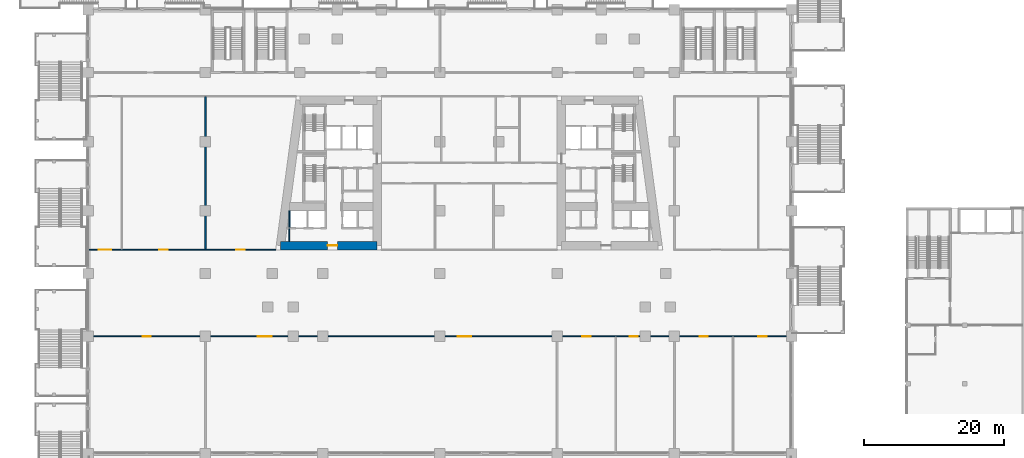
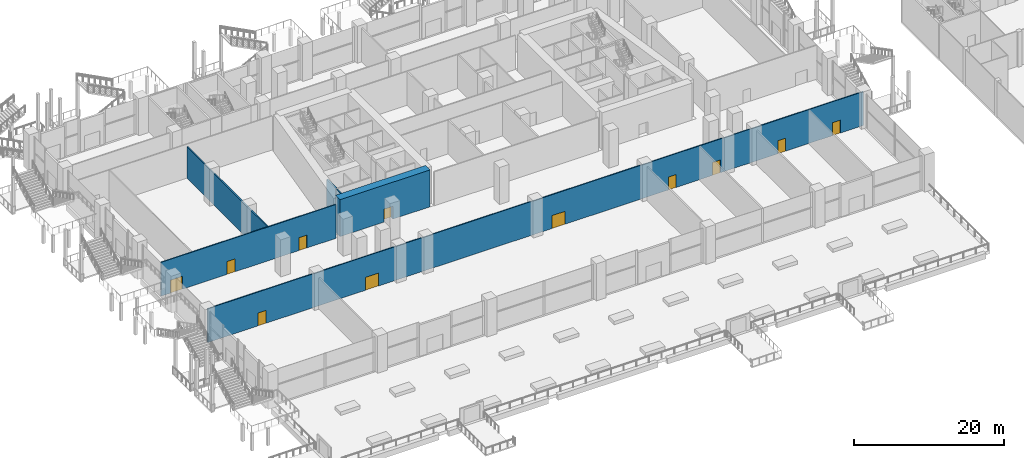
# One storey, part 20 of 47: 11 doors, 6 walls, 11 openings.
"""IFC4 building model written with IfcOpenShell, lengths in metres."""

from ifc_helpers import new_model, si_unit, direction, frame, frame_2d, origin, place, context, subcontext, project, spatial, rectangle, extrude, material, layer, layer_set, type_object, element, fill, save


model = new_model("IFC4")

# Units and contexts
model_context = context("Model", 3, precision=1e-05, world=origin(), true_north=direction((0.0, 1.0)))
body_context = subcontext(model_context, "Body", "Model", "MODEL_VIEW")
ifc_project = project(units=[si_unit("LENGTHUNIT", "METRE"), si_unit("AREAUNIT", "SQUARE_METRE"), si_unit("VOLUMEUNIT", "CUBIC_METRE"), si_unit("PLANEANGLEUNIT", "RADIAN"), si_unit("MASSUNIT", "GRAM", prefix="KILO")], contexts=[model_context])

# Site, building, storey
site_placement = place(None, origin())
site = spatial("IfcSite", under=ifc_project, at=site_placement, CompositionType="ELEMENT")
building_placement = place(site_placement, origin())
building = spatial("IfcBuilding", under=site, at=building_placement, Name="Candeia Pilgrim Tower and Theatre", CompositionType="ELEMENT")
storey_placement = place(building_placement, frame((0.0, 0.0, 23.0)))
storey = spatial("IfcBuildingStorey", under=building, at=storey_placement, Name="L03", CompositionType="ELEMENT", Elevation=23.0)

# Wall, opening, door
ifc_material_1 = material(Name="Concrete C80/95", Category="concrete")
ifc_layer_1 = layer(ifc_material_1, 1.199951171875)
ifc_layer_set_1 = layer_set([ifc_layer_1], Name="Core wall 1200 C80/95")
wall_type_1 = type_object("IfcWallType", Name="Core wall 1200 C80/95", PredefinedType="SHEAR", material=ifc_layer_set_1)
wall_1_placement = place(storey_placement, frame((100.199951171875, 111.0, 0.0), z_axis=(0.0, 0.0, 1.0), x_axis=(-1.0, 0.0, 0.0)))
wall_1 = element("IfcWall", 1, at=wall_1_placement, inside=storey, type_object=wall_type_1, Name="Core wall W3", PredefinedType="SHEAR", context=body_context, shape_type="SweptSolid", body=[
    extrude(rectangle(XDim=13.844482421875, YDim=1.199951171875, at=frame_2d((6.92236328125, 0.0))), origin(), (0.0, 0.0, 1.0), 6.0),
])
opening_1_placement = place(wall_1_placement, frame((5.693603515625, 0.0, 0.0)))
opening_1 = element("IfcOpeningElement", 2, at=opening_1_placement, cuts=wall_1, Name="Opening L03-D046", PredefinedType="OPENING", context=body_context, shape_type="SweptSolid", body=[
    extrude(rectangle(XDim=1.39990234375, YDim=2.10009765625, at=frame_2d((0.699951171875, 1.050048828125))), frame((0.0, 0.60986328125, 0.0), z_axis=(0.0, -1.0, 0.0), x_axis=(1.0, 0.0, 0.0)), (0.0, 0.0, 1.0), 1.219970703125),
])
ifc_material_2 = material(Name="Steel fire door set", Category="steel")
door_type_1 = type_object("IfcDoorType", Name="D-1400-FD60", OperationType="NOTDEFINED", PredefinedType="DOOR", material=ifc_material_2)
door_1_placement = place(opening_1_placement, origin())
door_1 = element("IfcDoor", 3, at=door_1_placement, inside=storey, type_object=door_type_1, Name="Door L03-D046", OperationType="SINGLE_SWING_LEFT", OverallHeight=2.10009765625, OverallWidth=1.39990234375, PredefinedType="DOOR", context=body_context, shape_type="SweptSolid", body=[
    extrude(rectangle(XDim=1.39990234375, YDim=2.10009765625, at=frame_2d((0.699951171875, 1.050048828125))), frame((0.0, 0.02490234375, 0.0), z_axis=(0.0, -1.0, 0.0), x_axis=(1.0, 0.0, 0.0)), (0.0, 0.0, 1.0), 0.050048828125),
])
fill(opening_1, door_1)

# Wall, openings, doors
ifc_material_3 = material(Name="Gypsum board partition on steel studs", Category="steel")
ifc_layer_2 = layer(ifc_material_3, 0.14990234375)
ifc_layer_set_2 = layer_set([ifc_layer_2], Name="PW-150 lobby wall")
wall_type_2 = type_object("IfcWallType", Name="PW-150 lobby wall", PredefinedType="PARTITIONING", material=ifc_layer_set_2)
wall_2_placement = place(storey_placement, frame((58.85009765625, 98.0, 0.0), z_axis=(0.0, 0.0, 1.0), x_axis=(1.0, 0.0, 0.0)))
wall_2 = element("IfcWall", 4, at=wall_2_placement, inside=storey, type_object=wall_type_2, Name="Lobby wall L03-001", PredefinedType="PARTITIONING", context=body_context, shape_type="SweptSolid", body=[
    extrude(rectangle(XDim=100.699951171875, YDim=0.14990234375, at=frame_2d((50.35009765625, 0.0))), origin(), (0.0, 0.0, 1.0), 5.5),
])
opening_2_placement = place(wall_2_placement, frame((7.75, 0.0, 0.0)))
opening_2 = element("IfcOpeningElement", 5, at=opening_2_placement, cuts=wall_2, Name="Opening L03-D001", PredefinedType="OPENING", context=body_context, shape_type="SweptSolid", body=[
    extrude(rectangle(XDim=1.199951171875, YDim=2.10009765625, at=frame_2d((0.60009765625, 1.050048828125))), frame((0.0, 0.0849609375, 0.0), z_axis=(0.0, -1.0, 0.0), x_axis=(1.0, 0.0, 0.0)), (0.0, 0.0, 1.0), 0.169921875),
])
opening_3_placement = place(wall_2_placement, frame((24.2548828125, 0.0, 0.0)))
opening_3 = element("IfcOpeningElement", 6, at=opening_3_placement, cuts=wall_2, Name="Opening L03-D002", PredefinedType="OPENING", context=body_context, shape_type="SweptSolid", body=[
    extrude(rectangle(XDim=2.0, YDim=2.10009765625, at=frame_2d((1.0, 1.050048828125))), frame((0.0, 0.0849609375, 0.0), z_axis=(0.0, -1.0, 0.0), x_axis=(1.0, 0.0, 0.0)), (0.0, 0.0, 1.0), 0.169921875),
])
opening_4_placement = place(wall_2_placement, frame((52.875, 0.0, 0.0)))
opening_4 = element("IfcOpeningElement", 7, at=opening_4_placement, cuts=wall_2, Name="Opening L03-D003", PredefinedType="OPENING", context=body_context, shape_type="SweptSolid", body=[
    extrude(rectangle(XDim=2.0, YDim=2.10009765625, at=frame_2d((1.0, 1.050048828125))), frame((0.0, 0.0849609375, 0.0), z_axis=(0.0, -1.0, 0.0), x_axis=(1.0, 0.0, 0.0)), (0.0, 0.0, 1.0), 0.169921875),
])
opening_5_placement = place(wall_2_placement, frame((70.75, 0.0, 0.0)))
opening_5 = element("IfcOpeningElement", 8, at=opening_5_placement, cuts=wall_2, Name="Opening L03-D004", PredefinedType="OPENING", context=body_context, shape_type="SweptSolid", body=[
    extrude(rectangle(XDim=1.199951171875, YDim=2.10009765625, at=frame_2d((0.60009765625, 1.050048828125))), frame((0.0, 0.0849609375, 0.0), z_axis=(0.0, -1.0, 0.0), x_axis=(1.0, 0.0, 0.0)), (0.0, 0.0, 1.0), 0.169921875),
])
opening_6_placement = place(wall_2_placement, frame((77.52490234375, 0.0, 0.0)))
opening_6 = element("IfcOpeningElement", 9, at=opening_6_placement, cuts=wall_2, Name="Opening L03-D005", PredefinedType="OPENING", context=body_context, shape_type="SweptSolid", body=[
    extrude(rectangle(XDim=1.199951171875, YDim=2.10009765625, at=frame_2d((0.60009765625, 1.050048828125))), frame((0.0, 0.0849609375, 0.0), z_axis=(0.0, -1.0, 0.0), x_axis=(1.0, 0.0, 0.0)), (0.0, 0.0, 1.0), 0.169921875),
])
opening_7_placement = place(wall_2_placement, frame((87.550048828125, 0.0, 0.0)))
opening_7 = element("IfcOpeningElement", 10, at=opening_7_placement, cuts=wall_2, Name="Opening L03-D006", PredefinedType="OPENING", context=body_context, shape_type="SweptSolid", body=[
    extrude(rectangle(XDim=1.199951171875, YDim=2.10009765625, at=frame_2d((0.60009765625, 1.050048828125))), frame((0.0, 0.0849609375, 0.0), z_axis=(0.0, -1.0, 0.0), x_axis=(1.0, 0.0, 0.0)), (0.0, 0.0, 1.0), 0.169921875),
])
opening_8_placement = place(wall_2_placement, frame((95.949951171875, 0.0, 0.0)))
opening_8 = element("IfcOpeningElement", 11, at=opening_8_placement, cuts=wall_2, Name="Opening L03-D007", PredefinedType="OPENING", context=body_context, shape_type="SweptSolid", body=[
    extrude(rectangle(XDim=1.199951171875, YDim=2.10009765625, at=frame_2d((0.60009765625, 1.050048828125))), frame((0.0, 0.0849609375, 0.0), z_axis=(0.0, -1.0, 0.0), x_axis=(1.0, 0.0, 0.0)), (0.0, 0.0, 1.0), 0.169921875),
])
door_type_2 = type_object("IfcDoorType", Name="D-1200-FD30S", OperationType="NOTDEFINED", PredefinedType="DOOR", material=ifc_material_2)
door_2_placement = place(opening_2_placement, origin())
door_2 = element("IfcDoor", 12, at=door_2_placement, inside=storey, type_object=door_type_2, Name="Door L03-D001", OperationType="SINGLE_SWING_RIGHT", OverallHeight=2.10009765625, OverallWidth=1.199951171875, PredefinedType="DOOR", context=body_context, shape_type="SweptSolid", body=[
    extrude(rectangle(XDim=1.199951171875, YDim=2.10009765625, at=frame_2d((0.60009765625, 1.050048828125))), frame((0.0, 0.02490234375, 0.0), z_axis=(0.0, -1.0, 0.0), x_axis=(1.0, 0.0, 0.0)), (0.0, 0.0, 1.0), 0.050048828125),
])
fill(opening_2, door_2)
door_3_placement = place(opening_5_placement, origin())
door_3 = element("IfcDoor", 13, at=door_3_placement, inside=storey, type_object=door_type_2, Name="Door L03-D004", OperationType="SINGLE_SWING_LEFT", OverallHeight=2.10009765625, OverallWidth=1.199951171875, PredefinedType="DOOR", context=body_context, shape_type="SweptSolid", body=[
    extrude(rectangle(XDim=1.199951171875, YDim=2.10009765625, at=frame_2d((0.60009765625, 1.050048828125))), frame((0.0, 0.02490234375, 0.0), z_axis=(0.0, -1.0, 0.0), x_axis=(1.0, 0.0, 0.0)), (0.0, 0.0, 1.0), 0.050048828125),
])
fill(opening_5, door_3)
door_4_placement = place(opening_6_placement, origin())
door_4 = element("IfcDoor", 14, at=door_4_placement, inside=storey, type_object=door_type_2, Name="Door L03-D005", OperationType="SINGLE_SWING_RIGHT", OverallHeight=2.10009765625, OverallWidth=1.199951171875, PredefinedType="DOOR", context=body_context, shape_type="SweptSolid", body=[
    extrude(rectangle(XDim=1.199951171875, YDim=2.10009765625, at=frame_2d((0.60009765625, 1.050048828125))), frame((0.0, 0.02490234375, 0.0), z_axis=(0.0, -1.0, 0.0), x_axis=(1.0, 0.0, 0.0)), (0.0, 0.0, 1.0), 0.050048828125),
])
fill(opening_6, door_4)
door_5_placement = place(opening_7_placement, origin())
door_5 = element("IfcDoor", 15, at=door_5_placement, inside=storey, type_object=door_type_2, Name="Door L03-D006", OperationType="SINGLE_SWING_LEFT", OverallHeight=2.10009765625, OverallWidth=1.199951171875, PredefinedType="DOOR", context=body_context, shape_type="SweptSolid", body=[
    extrude(rectangle(XDim=1.199951171875, YDim=2.10009765625, at=frame_2d((0.60009765625, 1.050048828125))), frame((0.0, 0.02490234375, 0.0), z_axis=(0.0, -1.0, 0.0), x_axis=(1.0, 0.0, 0.0)), (0.0, 0.0, 1.0), 0.050048828125),
])
fill(opening_7, door_5)
door_6_placement = place(opening_8_placement, origin())
door_6 = element("IfcDoor", 16, at=door_6_placement, inside=storey, type_object=door_type_2, Name="Door L03-D007", OperationType="SINGLE_SWING_RIGHT", OverallHeight=2.10009765625, OverallWidth=1.199951171875, PredefinedType="DOOR", context=body_context, shape_type="SweptSolid", body=[
    extrude(rectangle(XDim=1.199951171875, YDim=2.10009765625, at=frame_2d((0.60009765625, 1.050048828125))), frame((0.0, 0.02490234375, 0.0), z_axis=(0.0, -1.0, 0.0), x_axis=(1.0, 0.0, 0.0)), (0.0, 0.0, 1.0), 0.050048828125),
])
fill(opening_8, door_6)
ifc_material_4 = material(Name="Steel exit door", Category="steel")
door_type_3 = type_object("IfcDoorType", Name="DX-2000-FD30S", OperationType="NOTDEFINED", PredefinedType="DOOR", material=ifc_material_4)
door_7_placement = place(opening_3_placement, origin())
door_7 = element("IfcDoor", 17, at=door_7_placement, inside=storey, type_object=door_type_3, Name="Door L03-D002", OperationType="SINGLE_SWING_LEFT", OverallHeight=2.10009765625, OverallWidth=2.0, PredefinedType="DOOR", context=body_context, shape_type="SweptSolid", body=[
    extrude(rectangle(XDim=2.0, YDim=2.10009765625, at=frame_2d((1.0, 1.050048828125))), frame((0.0, 0.02490234375, 0.0), z_axis=(0.0, -1.0, 0.0), x_axis=(1.0, 0.0, 0.0)), (0.0, 0.0, 1.0), 0.050048828125),
])
fill(opening_3, door_7)
door_8_placement = place(opening_4_placement, origin())
door_8 = element("IfcDoor", 18, at=door_8_placement, inside=storey, type_object=door_type_3, Name="Door L03-D003", OperationType="SINGLE_SWING_RIGHT", OverallHeight=2.10009765625, OverallWidth=2.0, PredefinedType="DOOR", context=body_context, shape_type="SweptSolid", body=[
    extrude(rectangle(XDim=2.0, YDim=2.10009765625, at=frame_2d((1.0, 1.050048828125))), frame((0.0, 0.02490234375, 0.0), z_axis=(0.0, -1.0, 0.0), x_axis=(1.0, 0.0, 0.0)), (0.0, 0.0, 1.0), 0.050048828125),
])
fill(opening_4, door_8)

wall_3_placement = place(storey_placement, frame((58.85009765625, 110.39990234375, 0.0), z_axis=(0.0, 0.0, 1.0), x_axis=(1.0, 0.0, 0.0)))
wall_3 = element("IfcWall", 19, at=wall_3_placement, inside=storey, type_object=wall_type_2, Name="Lobby wall L03-002", PredefinedType="PARTITIONING", context=body_context, shape_type="SweptSolid", body=[
    extrude(rectangle(XDim=26.81884765625, YDim=0.14990234375, at=frame_2d((13.409423828125, 0.0))), origin(), (0.0, 0.0, 1.0), 5.5),
])
opening_9_placement = place(wall_3_placement, frame((10.14990234375, 0.0, 0.0)))
opening_9 = element("IfcOpeningElement", 20, at=opening_9_placement, cuts=wall_3, Name="Opening L03-D008", PredefinedType="OPENING", context=body_context, shape_type="SweptSolid", body=[
    extrude(rectangle(XDim=1.199951171875, YDim=2.10009765625, at=frame_2d((0.60009765625, 1.050048828125))), frame((0.0, 0.0849609375, 0.0), z_axis=(0.0, -1.0, 0.0), x_axis=(1.0, 0.0, 0.0)), (0.0, 0.0, 1.0), 0.169921875),
])
opening_10_placement = place(wall_3_placement, frame((21.18505859375, 0.0, 0.0)))
opening_10 = element("IfcOpeningElement", 21, at=opening_10_placement, cuts=wall_3, Name="Opening L03-D009", PredefinedType="OPENING", context=body_context, shape_type="SweptSolid", body=[
    extrude(rectangle(XDim=1.199951171875, YDim=2.10009765625, at=frame_2d((0.60009765625, 1.050048828125))), frame((0.0, 0.0849609375, 0.0), z_axis=(0.0, -1.0, 0.0), x_axis=(1.0, 0.0, 0.0)), (0.0, 0.0, 1.0), 0.169921875),
])
opening_11_placement = place(wall_3_placement, frame((1.449951171875, 0.0, 0.0)))
opening_11 = element("IfcOpeningElement", 22, at=opening_11_placement, cuts=wall_3, Name="Opening L03-D026", PredefinedType="OPENING", context=body_context, shape_type="SweptSolid", body=[
    extrude(rectangle(XDim=1.800048828125, YDim=2.10009765625, at=frame_2d((0.89990234375, 1.050048828125))), frame((0.0, 0.0849609375, 0.0), z_axis=(0.0, -1.0, 0.0), x_axis=(1.0, 0.0, 0.0)), (0.0, 0.0, 1.0), 0.169921875),
])
door_9_placement = place(opening_9_placement, origin())
door_9 = element("IfcDoor", 23, at=door_9_placement, inside=storey, type_object=door_type_2, Name="Door L03-D008", OperationType="SINGLE_SWING_LEFT", OverallHeight=2.10009765625, OverallWidth=1.199951171875, PredefinedType="DOOR", context=body_context, shape_type="SweptSolid", body=[
    extrude(rectangle(XDim=1.199951171875, YDim=2.10009765625, at=frame_2d((0.60009765625, 1.050048828125))), frame((0.0, 0.02490234375, 0.0), z_axis=(0.0, -1.0, 0.0), x_axis=(1.0, 0.0, 0.0)), (0.0, 0.0, 1.0), 0.050048828125),
])
fill(opening_9, door_9)
door_10_placement = place(opening_10_placement, origin())
door_10 = element("IfcDoor", 24, at=door_10_placement, inside=storey, type_object=door_type_2, Name="Door L03-D009", OperationType="SINGLE_SWING_RIGHT", OverallHeight=2.10009765625, OverallWidth=1.199951171875, PredefinedType="DOOR", context=body_context, shape_type="SweptSolid", body=[
    extrude(rectangle(XDim=1.199951171875, YDim=2.10009765625, at=frame_2d((0.60009765625, 1.050048828125))), frame((0.0, 0.02490234375, 0.0), z_axis=(0.0, -1.0, 0.0), x_axis=(1.0, 0.0, 0.0)), (0.0, 0.0, 1.0), 0.050048828125),
])
fill(opening_10, door_10)
door_type_4 = type_object("IfcDoorType", Name="D-1800-FD60", OperationType="NOTDEFINED", PredefinedType="DOOR", material=ifc_material_2)
door_11_placement = place(opening_11_placement, origin())
door_11 = element("IfcDoor", 25, at=door_11_placement, inside=storey, type_object=door_type_4, Name="Door L03-D026", OperationType="SINGLE_SWING_LEFT", OverallHeight=2.10009765625, OverallWidth=1.800048828125, PredefinedType="DOOR", context=body_context, shape_type="SweptSolid", body=[
    extrude(rectangle(XDim=1.800048828125, YDim=2.10009765625, at=frame_2d((0.89990234375, 1.050048828125))), frame((0.0, 0.02490234375, 0.0), z_axis=(0.0, -1.0, 0.0), x_axis=(1.0, 0.0, 0.0)), (0.0, 0.0, 1.0), 0.050048828125),
])
fill(opening_11, door_11)

# Walls
wall_4_placement = place(storey_placement, frame((87.631103515625, 111.60009765625, 0.0), z_axis=(0.0, 0.0, 1.0), x_axis=(0.0, 1.0, 0.0)))
element("IfcWall", 26, at=wall_4_placement, inside=storey, type_object=wall_type_2, Name="Lobby wall L03-052", PredefinedType="PARTITIONING", context=body_context, shape_type="SweptSolid", body=[
    extrude(rectangle(XDim=1.7998046875, YDim=0.14990234375, at=frame_2d((0.89990234375, 0.0))), origin(), (0.0, 0.0, 1.0), 5.5),
])
ifc_layer_3 = layer(ifc_material_3, 0.199951171875)
ifc_layer_set_3 = layer_set([ifc_layer_3], Name="PW-200 party wall")
wall_type_3 = type_object("IfcWallType", Name="PW-200 party wall", PredefinedType="PARTITIONING", material=ifc_layer_set_3)
wall_5_placement = place(storey_placement, frame((75.60009765625, 110.47509765625, 0.0), z_axis=(0.0, 0.0, 1.0), x_axis=(0.0, 1.0, 0.0)))
element("IfcWall", 27, at=wall_5_placement, inside=storey, type_object=wall_type_3, Name="Party wall L03-046", PredefinedType="PARTITIONING", context=body_context, shape_type="SweptSolid", body=[
    extrude(rectangle(XDim=21.849853515625, YDim=0.199951171875, at=frame_2d((10.9248046875, 0.0))), origin(), (0.0, 0.0, 1.0), 5.10009765625),
])
ifc_material_5 = material(Name="Concrete C40/50", Category="concrete")
ifc_layer_4 = layer(ifc_material_5, 0.199951171875)
ifc_layer_set_4 = layer_set([ifc_layer_4], Name="SW-200 shaft wall")
wall_type_4 = type_object("IfcWallType", Name="SW-200 shaft wall", PredefinedType="PARTITIONING", material=ifc_layer_set_4)
wall_6_placement = place(storey_placement, frame((87.653076171875, 113.60009765625, 0.0), z_axis=(0.0, 0.0, 1.0), x_axis=(0.0, 1.0, 0.0)))
element("IfcWall", 28, at=wall_6_placement, inside=storey, type_object=wall_type_4, Name="Shaft wall L03-051", PredefinedType="PARTITIONING", context=body_context, shape_type="SweptSolid", body=[
    extrude(rectangle(XDim=2.39990234375, YDim=0.199951171875, at=frame_2d((1.199951171875, 0.0))), origin(), (0.0, 0.0, 1.0), 5.5),
])

save(model, "model.ifc")
